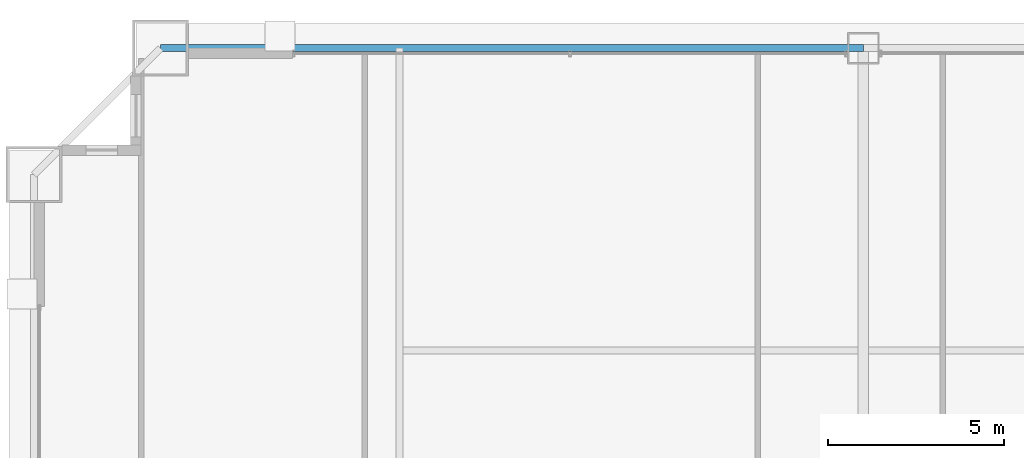
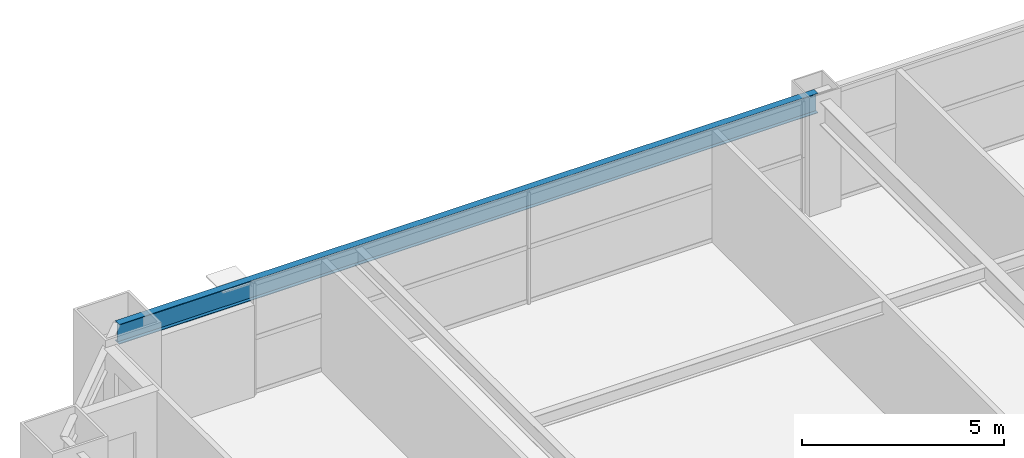
# One storey, part 24 of 39: 1 beam.
"""IFC4 building model written with IfcOpenShell, lengths in metres."""

import ifcopenshell
import ifcopenshell.guid

model = None  # the IFC model being written
_history = None  # IfcOwnerHistory: only IFC2X3 demands one
_inside = {}  # id of a spatial element -> (the spatial element, [elements in it])
_under = {}  # id of a project, library or spatial element -> (it, [spatial elements below it])
_declared = {}  # id of a project -> (the project, [libraries it declares])
_typed = {}  # id of a type object -> (the type object, [elements of that type])
_made_of = {}  # id of a material, layer set ... -> (it, [elements and type objects made of it])


def new_model(schema):
    """Start an empty IFC model of exactly this schema.

    Asked for "IFC4X3", IfcOpenShell would pick the latest addendum, in which some entities
    have other attributes; the version numbers below select the first issue.
    IFC2X3 requires an IfcOwnerHistory on every rooted entity: one is made here for all.
    """
    global model, _history
    if schema == "IFC4X3":
        model = ifcopenshell.file(schema_version=(4, 3, 0, 0))
    else:
        model = ifcopenshell.file(schema=schema)
    _inside.clear()
    _under.clear()
    _declared.clear()
    _typed.clear()
    _made_of.clear()
    _history = None
    if model.schema == "IFC2X3":
        org = make("IfcOrganization", Name="unknown")
        user = make(
            "IfcPersonAndOrganization",
            ThePerson=make("IfcPerson", FamilyName="unknown"),
            TheOrganization=org,
        )
        app = make(
            "IfcApplication",
            ApplicationDeveloper=org,
            Version="unknown",
            ApplicationFullName="unknown",
            ApplicationIdentifier="unknown",
        )
        _history = make(
            "IfcOwnerHistory",
            OwningUser=user,
            OwningApplication=app,
            ChangeAction="ADDED",
            CreationDate=0,
        )
    return model


def make(cls, **values):
    """One entity of the class cls with the attributes given. An attribute that is None is left unset."""
    return model.create_entity(
        cls, **{name: value for name, value in values.items() if value is not None}
    )


def rooted(cls, **values):
    """An entity with a GlobalId (a new one), such as an element, a storey or a relation."""
    return make(cls, GlobalId=ifcopenshell.guid.new(), OwnerHistory=_history, **values)


def si_unit(unit_type, name, prefix=None):
    """IfcSIUnit, for example si_unit("LENGTHUNIT", "METRE", prefix="MILLI")."""
    return make("IfcSIUnit", UnitType=unit_type, Prefix=prefix, Name=name)


def assignment(units):
    """IfcUnitAssignment: the units of a project."""
    return None if units is None else make("IfcUnitAssignment", Units=units)


def point(xyz):
    """IfcCartesianPoint."""
    return None if xyz is None else make("IfcCartesianPoint", Coordinates=xyz)


def direction(xyz):
    """IfcDirection."""
    return None if xyz is None else make("IfcDirection", DirectionRatios=xyz)


def frame(location, z_axis=None, x_axis=None):
    """IfcAxis2Placement3D, a coordinate frame: its origin and axes. An axis left out is left unset."""
    return make(
        "IfcAxis2Placement3D",
        Location=point(location),
        Axis=direction(z_axis),
        RefDirection=direction(x_axis),
    )


def frame_2d(location, x_axis=None):
    """IfcAxis2Placement2D, a coordinate frame in the plane: its origin and x axis."""
    return make(
        "IfcAxis2Placement2D", Location=point(location), RefDirection=direction(x_axis)
    )


def origin():
    """The frame at (0, 0, 0) with its axes left unset."""
    return frame((0.0, 0.0, 0.0))


def origin_2d():
    """The frame at (0, 0) in the plane with its x axis left unset."""
    return frame_2d((0.0, 0.0))


def place(relative_to, where):
    """IfcLocalPlacement: puts the frame where relative to a parent placement (None: the world)."""
    return make(
        "IfcLocalPlacement", PlacementRelTo=relative_to, RelativePlacement=where
    )


def context(
    kind, dimensions, precision=None, world=None, true_north=None, identifier=None
):
    """IfcGeometricRepresentationContext, for example the 3D "Model" context."""
    return make(
        "IfcGeometricRepresentationContext",
        ContextIdentifier=identifier,
        ContextType=kind,
        CoordinateSpaceDimension=dimensions,
        Precision=precision,
        WorldCoordinateSystem=world,
        TrueNorth=true_north,
    )


def subcontext(parent, identifier, kind, view, scale=None):
    """IfcGeometricRepresentationSubContext, for example "Body" below "Model"."""
    return make(
        "IfcGeometricRepresentationSubContext",
        ContextIdentifier=identifier,
        ContextType=kind,
        ParentContext=parent,
        TargetScale=scale,
        TargetView=view,
    )


def project(units=None, contexts=None):
    """IfcProject with its units and contexts."""
    return rooted(
        "IfcProject",
        Name="project",
        RepresentationContexts=contexts,
        UnitsInContext=assignment(units),
    )


def spatial(cls, under=None, at=None, **own):
    """A site, building, storey or space (cls), placed at a placement, below another one or the project."""
    s = rooted(cls, ObjectPlacement=at, **own)
    if under is not None:
        _under.setdefault(under.id(), (under, []))[1].append(s)
    return s


def profile(cls, at=None, kind="AREA", **sizes):
    """A parametric profile (cls). Its sizes go by their IFC names, for example OverallWidth=200.0."""
    return make(cls, ProfileType=kind, Position=at, **sizes)


def i_section(**sizes):
    """IfcIShapeProfileDef."""
    return profile("IfcIShapeProfileDef", **sizes)


def extrude(swept, where, along, depth):
    """IfcExtrudedAreaSolid: the profile swept, set in the frame where, extruded along a direction by depth."""
    return make(
        "IfcExtrudedAreaSolid",
        SweptArea=swept,
        Position=where,
        ExtrudedDirection=direction(along),
        Depth=depth,
    )


def shape(context_of_items, identifier, shape_type, items):
    """IfcShapeRepresentation: the items that make up one representation, for example the "Body"."""
    return make(
        "IfcShapeRepresentation",
        ContextOfItems=context_of_items,
        RepresentationIdentifier=identifier,
        RepresentationType=shape_type,
        Items=items,
    )


def source(mapping_origin, context_of_items, identifier, shape_type, items):
    """IfcRepresentationMap: a shape defined once, which mapped items show again and again."""
    return make(
        "IfcRepresentationMap",
        MappingOrigin=mapping_origin,
        MappedRepresentation=shape(context_of_items, identifier, shape_type, items),
    )


def transform(
    local_origin,
    x_axis=None,
    y_axis=None,
    z_axis=None,
    scale=None,
    scale2=None,
    scale3=None,
    uniform=True,
):
    """IfcCartesianTransformationOperator3D, or its non-uniform kind. x_axis, y_axis, z_axis: its Axis1, 2, 3."""
    if uniform:
        return make(
            "IfcCartesianTransformationOperator3D",
            Axis1=direction(x_axis),
            Axis2=direction(y_axis),
            LocalOrigin=point(local_origin),
            Scale=scale,
            Axis3=direction(z_axis),
        )
    return make(
        "IfcCartesianTransformationOperator3DnonUniform",
        Axis1=direction(x_axis),
        Axis2=direction(y_axis),
        LocalOrigin=point(local_origin),
        Scale=scale,
        Axis3=direction(z_axis),
        Scale2=scale2,
        Scale3=scale3,
    )


def mapped(mapping_source, mapping_target):
    """IfcMappedItem: shows the shape of a source again, moved by a transform."""
    return make(
        "IfcMappedItem", MappingSource=mapping_source, MappingTarget=mapping_target
    )


def material(Name=None, Category=None):
    """IfcMaterial."""
    return make("IfcMaterial", Name=Name, Category=Category)


def material_profile(
    of_material, cross_section, Name=None, Category=None, Priority=None
):
    """IfcMaterialProfile: a cross section and its material."""
    return make(
        "IfcMaterialProfile",
        Name=Name,
        Material=of_material,
        Profile=cross_section,
        Priority=Priority,
        Category=Category,
    )


def profile_set(profiles, Name=None, composite=None):
    """IfcMaterialProfileSet."""
    return make(
        "IfcMaterialProfileSet",
        Name=Name,
        MaterialProfiles=profiles,
        CompositeProfile=composite,
    )


def made_of(thing, what):
    """Note that an element or type object is made of a material, layer set ...; save() writes the relation."""
    if what is not None:
        _made_of.setdefault(what.id(), (what, []))[1].append(thing)
    return thing


def type_object(cls, material=None, **own):
    """A type object (cls), such as IfcWallType, which elements share."""
    return made_of(rooted(cls, **own), material)


def element(
    cls,
    number,
    at=None,
    inside=None,
    cuts=None,
    type_object=None,
    material=None,
    context=None,
    identifier="Body",
    shape_type=None,
    held_by="IfcProductDefinitionShape",
    body=None,
    shapes=None,
    **own,
):
    """One element of the class cls, such as IfcWall. Its Tag is "e" and its number.

    at: its placement. inside: the storey or other place that contains it. cuts: it is an
    opening in that element (IfcRelVoidsElement). A single representation is given by context,
    identifier, shape_type and body (its items); several are given by shapes. held_by: the class
    of the entity that holds the representations. save() writes the other relations.
    """
    e = rooted(cls, Tag="e%d" % number, ObjectPlacement=at, **own)
    if body is not None:
        shapes = [shape(context, identifier, shape_type, body)]
    if shapes is not None:
        e.Representation = make(held_by, Representations=shapes)
    if inside is not None:
        _inside.setdefault(inside.id(), (inside, []))[1].append(e)
    if cuts is not None:
        rooted(
            "IfcRelVoidsElement", RelatingBuildingElement=cuts, RelatedOpeningElement=e
        )
    if type_object is not None:
        _typed.setdefault(type_object.id(), (type_object, []))[1].append(e)
    return made_of(e, material)


def aggregate(whole, parts):
    """IfcRelAggregates: a whole, such as a stair, and the parts it consists of."""
    return rooted("IfcRelAggregates", RelatingObject=whole, RelatedObjects=parts)


def save(model, path):
    """Write the relations noted so far, then the file.

    IfcRelAggregates (storeys below a building ...), IfcRelContainedInSpatialStructure (elements
    in a storey), IfcRelDefinesByType, IfcRelAssociatesMaterial and IfcRelDeclares: one each for
    every whole, place, type object, material and project.
    """
    for whole, parts in _under.values():
        aggregate(whole, parts)
    for where, things in _inside.values():
        rooted(
            "IfcRelContainedInSpatialStructure",
            RelatedElements=things,
            RelatingStructure=where,
        )
    for kind, things in _typed.values():
        rooted("IfcRelDefinesByType", RelatedObjects=things, RelatingType=kind)
    for what, things in _made_of.values():
        rooted("IfcRelAssociatesMaterial", RelatedObjects=things, RelatingMaterial=what)
    for by, libraries in _declared.values():
        rooted("IfcRelDeclares", RelatingContext=by, RelatedDefinitions=libraries)
    model.write(path)


model = new_model("IFC4")

# Units and contexts
model_context = context("Model", 3, precision=1e-05, world=origin(), true_north=direction((0.0, 1.0)))
body_context = subcontext(model_context, "Body", "Model", "MODEL_VIEW")
ifc_project = project(units=[si_unit("LENGTHUNIT", "METRE"), si_unit("AREAUNIT", "SQUARE_METRE"), si_unit("VOLUMEUNIT", "CUBIC_METRE"), si_unit("PLANEANGLEUNIT", "RADIAN"), si_unit("MASSUNIT", "GRAM", prefix="KILO"), si_unit("THERMODYNAMICTEMPERATUREUNIT", "KELVIN"), si_unit("POWERUNIT", "WATT")], contexts=[model_context])

# Site, building, storey
site_placement = place(None, origin())
site = spatial("IfcSite", under=ifc_project, at=site_placement, CompositionType="ELEMENT")
building_placement = place(site_placement, origin())
building = spatial("IfcBuilding", under=site, at=building_placement, Name="Yuzanri Waterfront Tower", CompositionType="ELEMENT")
storey_placement = place(building_placement, frame((0.0, 0.0, 134.39990234375)))
storey = spatial("IfcBuildingStorey", under=building, at=storey_placement, Name="L35", CompositionType="ELEMENT", Elevation=134.39990234375)

# Beam
ifc_material = material(Name="Steel Q355B", Category="steel")
ifc_material_profile = material_profile(ifc_material, i_section(OverallWidth=0.199951171875, OverallDepth=0.60009765625, WebThickness=0.010986328125, FlangeThickness=0.01708984375, at=origin_2d()), Name="HN 600x200x11x17")
ifc_profile_set = profile_set([ifc_material_profile], Name="Steel Q355B")
beam_type = type_object("IfcBeamType", Name="Perimeter Spandrel Q355B HN 600x200", PredefinedType="SPANDREL", material=ifc_profile_set)
shared_shape = source(origin(), body_context, "Body", "SweptSolid", [
    extrude(i_section(OverallWidth=0.199951171875, OverallDepth=0.60009765625, WebThickness=0.010986328125, FlangeThickness=0.01708984375, at=origin_2d()), origin(), (0.0, 0.0, 1.0), 20.0),
])
beam_placement = place(storey_placement, frame((37.0, 49.39990234375, 3.080078125), z_axis=(-1.0, 0.0, 0.0), x_axis=(0.0, -1.0, 0.0)))
element("IfcBeam", 1, at=beam_placement, inside=storey, type_object=beam_type, Name="L35 Perimeter Spandrel N2-N1", PredefinedType="SPANDREL", context=body_context, shape_type="MappedRepresentation", body=[
    mapped(shared_shape, transform((0.0, 0.0, 0.0), scale=1.0)),
])

save(model, "model.ifc")
